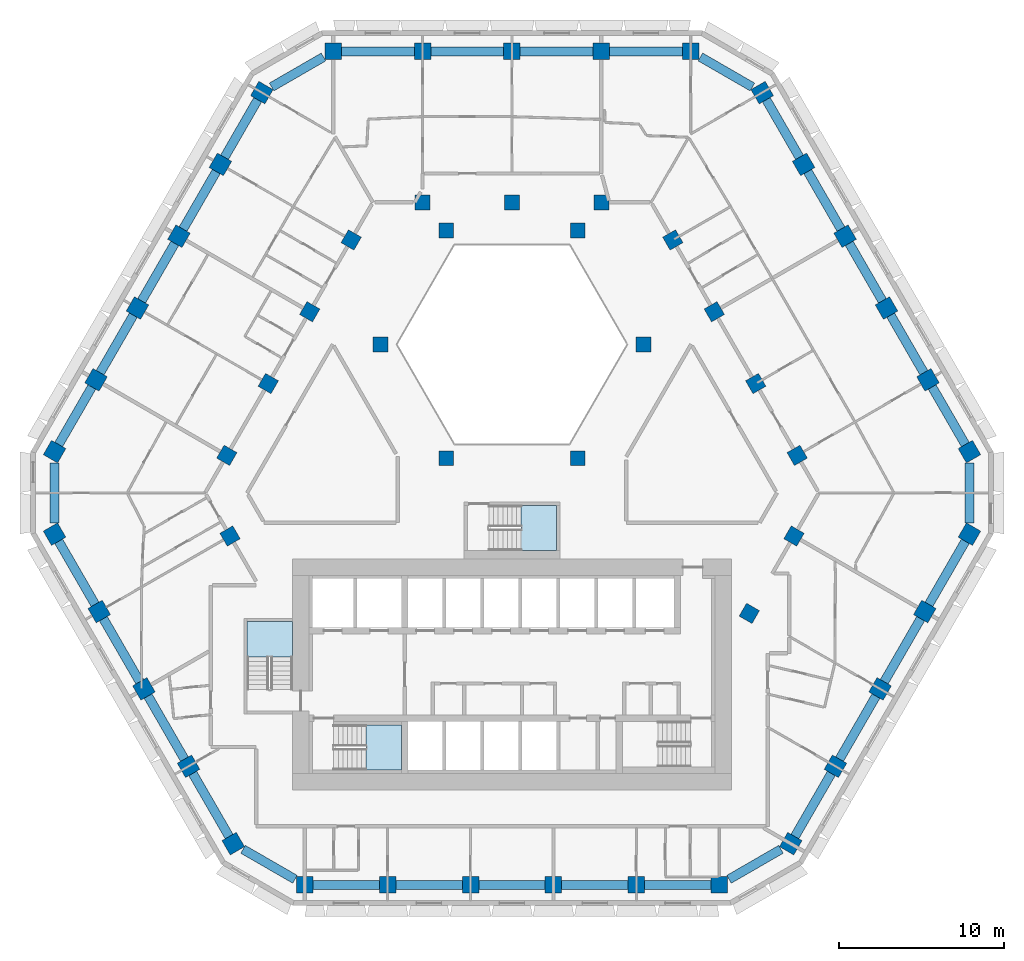
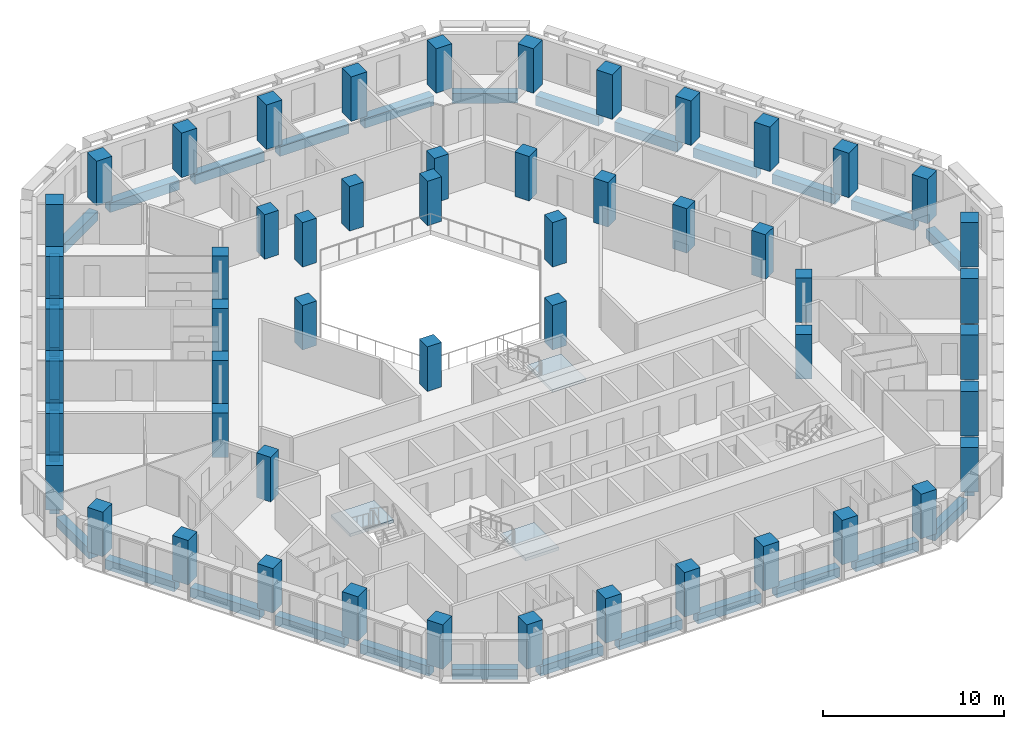
# One storey, part 1 of 16: 53 columns, 33 beams, 3 slabs, 3 elements without a shape of their own.
"""IFC4 building model written with IfcOpenShell, lengths in metres."""

from ifc_helpers import new_model, si_unit, direction, frame, origin, origin_2d, place, context, subcontext, project, spatial, polyline, rectangle, outline, extrude, material, layer, layer_set, material_profile, profile_set, type_object, element, aggregate, save


model = new_model("IFC4")

# Units and contexts
model_context = context("Model", 3, precision=1e-05, world=origin(), true_north=direction((0.0, 1.0)))
body_context = subcontext(model_context, "Body", "Model", "MODEL_VIEW")
ifc_project = project(units=[si_unit("LENGTHUNIT", "METRE"), si_unit("AREAUNIT", "SQUARE_METRE"), si_unit("VOLUMEUNIT", "CUBIC_METRE"), si_unit("PLANEANGLEUNIT", "RADIAN"), si_unit("MASSUNIT", "GRAM", prefix="KILO")], contexts=[model_context])

# Site, building, storey
site_placement = place(None, origin())
site = spatial("IfcSite", under=ifc_project, at=site_placement, CompositionType="ELEMENT")
building_placement = place(site_placement, origin())
building = spatial("IfcBuilding", under=site, at=building_placement, Name="Beryl Residences", CompositionType="ELEMENT")
storey_placement = place(building_placement, frame((0.0, 0.0, 96.0)))
storey = spatial("IfcBuildingStorey", under=building, at=storey_placement, Name="L29", CompositionType="ELEMENT", Elevation=96.0)

# Columns
ifc_material_1 = material(Name="Concrete C70/85", Category="concrete")
ifc_material_profile_1 = material_profile(ifc_material_1, rectangle(XDim=1.0, YDim=1.0, at=origin_2d()))
ifc_profile_set_1 = profile_set([ifc_material_profile_1], Name="Concrete C70/85")
column_type_1 = type_object("IfcColumnType", Name="C2 tube column 1000 x 1000 C70/85", PredefinedType="COLUMN", material=ifc_profile_set_1)
for number, where, z_axis, x_axis, name in (
    (1, (10.824951171875, 25.75, 0.0), (0.0, 0.0, 1.0), (-1.0, 0.0, 0.0), "C2-N1 L29"),
    (2, (5.412109375, 25.75, 0.0), (0.0, 0.0, 1.0), (-1.0, 0.0, 0.0), "C2-N2 L29"),
    (3, (-0.0009765625, 25.75, 0.0), (0.0, 0.0, 1.0), (-1.0, 0.0, 0.0), "C2-N3 L29"),
    (4, (-5.4140625, 25.75, 0.0), (0.0, 0.0, 1.0), (-1.0, 0.0, 0.0), "C2-N4 L29"),
    (5, (-10.826904296875, 25.75, 0.0), (0.0, 0.0, 1.0), (-1.0, 0.0, 0.0), "C2-N5 L29"),
    (6, (-15.155029296875, 23.2509765625, 0.0), (0.0, 0.0, 1.0), (-0.5, -0.866025403784, 0.0), "C2-NW1 L29"),
    (7, (-17.6669921875, 18.89990234375, 0.0), (0.0, 0.0, 1.0), (-0.5, -0.866025403784, 0.0), "C2-NW2 L29"),
    (8, (-20.177978515625, 14.550048828125, 0.0), (0.0, 0.0, 1.0), (-0.5, -0.866025403784, 0.0), "C2-NW3 L29"),
    (9, (-22.68994140625, 10.199951171875, 0.0), (0.0, 0.0, 1.0), (-0.5, -0.866025403784, 0.0), "C2-NW4 L29"),
    (10, (-25.201904296875, 5.85009765625, 0.0), (0.0, 0.0, 1.0), (-0.5, -0.866025403784, 0.0), "C2-NW5 L29"),
    (11, (-27.712890625, 1.5, 0.0), (0.0, 0.0, 1.0), (-0.5, -0.866025403784, 0.0), "C2-NW6 L29"),
    (12, (-27.714111328125, -3.4990234375, 0.0), (0.0, 0.0, 1.0), (0.5, -0.866025403784, 0.0), "C2-SW1 L29"),
    (13, (-25.007080078125, -8.18701171875, 0.0), (0.0, 0.0, 1.0), (0.5, -0.866025403784, 0.0), "C2-SW2 L29"),
    (14, (-22.300048828125, -12.875, 0.0), (0.0, 0.0, 1.0), (0.5, -0.866025403784, 0.0), "C2-SW3 L29"),
    (15, (-19.593994140625, -17.56298828125, 0.0), (0.0, 0.0, 1.0), (0.5, -0.866025403784, 0.0), "C2-SW4 L29"),
    (16, (-16.886962890625, -22.2509765625, 0.0), (0.0, 0.0, 1.0), (0.5, -0.866025403784, 0.0), "C2-SW5 L29"),
    (17, (-12.556884765625, -24.75, 0.0), (0.0, 0.0, 1.0), (1.0, 0.0, 0.0), "C2-S1 L29"),
    (18, (-7.533935546875, -24.75, 0.0), (0.0, 0.0, 1.0), (1.0, 0.0, 0.0), "C2-S2 L29"),
    (19, (-2.510986328125, -24.75, 0.0), (0.0, 0.0, 1.0), (1.0, 0.0, 0.0), "C2-S3 L29"),
    (20, (2.511962890625, -24.75, 0.0), (0.0, 0.0, 1.0), (1.0, 0.0, 0.0), "C2-S4 L29"),
    (21, (7.534912109375, -24.75, 0.0), (0.0, 0.0, 1.0), (1.0, 0.0, 0.0), "C2-S5 L29"),
    (22, (12.55810546875, -24.75, 0.0), (0.0, 0.0, 1.0), (1.0, 0.0, 0.0), "C2-S6 L29"),
    (23, (16.886962890625, -22.2509765625, 0.0), (0.0, 0.0, 1.0), (0.5, 0.866025403784, 0.0), "C2-SE1 L29"),
    (24, (19.593994140625, -17.56298828125, 0.0), (0.0, 0.0, 1.0), (0.5, 0.866025403784, 0.0), "C2-SE2 L29"),
    (25, (22.300048828125, -12.875, 0.0), (0.0, 0.0, 1.0), (0.5, 0.866025403784, 0.0), "C2-SE3 L29"),
    (26, (25.007080078125, -8.18701171875, 0.0), (0.0, 0.0, 1.0), (0.5, 0.866025403784, 0.0), "C2-SE4 L29"),
    (27, (27.714111328125, -3.4990234375, 0.0), (0.0, 0.0, 1.0), (0.5, 0.866025403784, 0.0), "C2-SE5 L29"),
    (28, (27.714111328125, 1.4990234375, 0.0), (0.0, 0.0, 1.0), (-0.5, 0.866025403784, 0.0), "C2-NE1 L29"),
    (29, (25.201904296875, 5.85009765625, 0.0), (0.0, 0.0, 1.0), (-0.5, 0.866025403784, 0.0), "C2-NE2 L29"),
    (30, (22.68994140625, 10.199951171875, 0.0), (0.0, 0.0, 1.0), (-0.5, 0.866025403784, 0.0), "C2-NE3 L29"),
    (31, (20.178955078125, 14.550048828125, 0.0), (0.0, 0.0, 1.0), (-0.5, 0.866025403784, 0.0), "C2-NE4 L29"),
    (32, (17.6669921875, 18.89990234375, 0.0), (0.0, 0.0, 1.0), (-0.5, 0.866025403784, 0.0), "C2-NE5 L29"),
    (33, (15.156005859375, 23.25, 0.0), (0.0, 0.0, 1.0), (-0.5, 0.866025403784, 0.0), "C2-NE6 L29"),
):
    element("IfcColumn", number, at=place(storey_placement, frame(where, z_axis=z_axis, x_axis=x_axis)), inside=storey, type_object=column_type_1, Name=name, PredefinedType="COLUMN", context=body_context, shape_type="SweptSolid", body=[
        extrude(rectangle(XDim=1.0, YDim=1.0, at=origin_2d()), origin(), (0.0, 0.0, 1.0), 3.0),
    ])
ifc_material_2 = material(Name="Concrete C70/85", Category="concrete")
ifc_material_profile_2 = material_profile(ifc_material_2, rectangle(XDim=0.89990234375, YDim=0.89990234375, at=origin_2d()))
ifc_profile_set_2 = profile_set([ifc_material_profile_2], Name="Concrete C70/85")
column_type_2 = type_object("IfcColumnType", Name="IC2 interior column 900 x 900 C70/85", PredefinedType="COLUMN", material=ifc_profile_set_2)
for number, where, z_axis, x_axis, name in (
    (34, (-17.0830078125, -3.612060546875, 0.0), (0.0, 0.0, 1.0), (0.5, -0.866025403784, 0.0), "IC2-M01 L29"),
    (35, (14.3759765625, -8.300048828125, 0.0), (0.0, 0.0, 1.0), (0.5, 0.866025403784, 0.0), "IC2-M02 L29"),
    (36, (17.0830078125, -3.612060546875, 0.0), (0.0, 0.0, 1.0), (0.5, 0.866025403784, 0.0), "IC2-M03 L29"),
    (37, (17.278076171875, 1.27392578125, 0.0), (0.0, 0.0, 1.0), (-0.5, 0.866025403784, 0.0), "IC2-M04 L29"),
    (38, (3.98388671875, 1.10009765625, 0.0), (0.0, 0.0, 1.0), (1.0, 0.0, 0.0), "IC2-A05 L29"),
    (39, (14.76611328125, 5.625, 0.0), (0.0, 0.0, 1.0), (-0.5, 0.866025403784, 0.0), "IC2-M06 L29"),
    (40, (12.2548828125, 9.97509765625, 0.0), (0.0, 0.0, 1.0), (-0.5, 0.866025403784, 0.0), "IC2-M07 L29"),
    (41, (7.967041015625, 8.0, 0.0), (0.0, 0.0, 1.0), (1.0, 0.0, 0.0), "IC2-A08 L29"),
    (42, (9.742919921875, 14.324951171875, 0.0), (0.0, 0.0, 1.0), (-0.5, 0.866025403784, 0.0), "IC2-M09 L29"),
    (43, (5.412109375, 16.60009765625, 0.0), (0.0, 0.0, 1.0), (-1.0, 0.0, 0.0), "IC2-M10 L29"),
    (44, (3.98388671875, 14.89990234375, 0.0), (0.0, 0.0, 1.0), (1.0, 0.0, 0.0), "IC2-A11 L29"),
    (45, (-0.0009765625, 16.60009765625, 0.0), (0.0, 0.0, 1.0), (-1.0, 0.0, 0.0), "IC2-M12 L29"),
    (46, (-3.98388671875, 14.89990234375, 0.0), (0.0, 0.0, 1.0), (1.0, 0.0, 0.0), "IC2-A13 L29"),
    (47, (-5.4140625, 16.60009765625, 0.0), (0.0, 0.0, 1.0), (-1.0, 0.0, 0.0), "IC2-M14 L29"),
    (48, (-9.742919921875, 14.324951171875, 0.0), (0.0, 0.0, 1.0), (-0.5, -0.866025403784, 0.0), "IC2-M15 L29"),
    (49, (-7.967041015625, 8.0, 0.0), (0.0, 0.0, 1.0), (1.0, 0.0, 0.0), "IC2-A16 L29"),
    (50, (-12.25390625, 9.97509765625, 0.0), (0.0, 0.0, 1.0), (-0.5, -0.866025403784, 0.0), "IC2-M17 L29"),
    (51, (-14.76611328125, 5.625, 0.0), (0.0, 0.0, 1.0), (-0.5, -0.866025403784, 0.0), "IC2-M18 L29"),
    (52, (-3.98388671875, 1.10009765625, 0.0), (0.0, 0.0, 1.0), (1.0, 0.0, 0.0), "IC2-A19 L29"),
    (53, (-17.277099609375, 1.27490234375, 0.0), (0.0, 0.0, 1.0), (-0.5, -0.866025403784, 0.0), "IC2-M20 L29"),
):
    element("IfcColumn", number, at=place(storey_placement, frame(where, z_axis=z_axis, x_axis=x_axis)), inside=storey, type_object=column_type_2, Name=name, PredefinedType="COLUMN", context=body_context, shape_type="SweptSolid", body=[
        extrude(rectangle(XDim=0.89990234375, YDim=0.89990234375, at=origin_2d()), origin(), (0.0, 0.0, 1.0), 3.0),
    ])

# Beams
ifc_material_3 = material(Name="Concrete C70/85", Category="concrete")
ifc_material_profile_3 = material_profile(ifc_material_3, rectangle(XDim=0.550048828125, YDim=0.64990234375, at=origin_2d()))
ifc_profile_set_3 = profile_set([ifc_material_profile_3], Name="Concrete C70/85")
beam_type = type_object("IfcBeamType", Name="SB2 spandrel beam 550 x 650 C70/85", PredefinedType="SPANDREL", material=ifc_profile_set_3)
beam_1_placement = place(storey_placement, frame((10.324951171875, 25.75, -0.625), z_axis=(-1.0, 0.0, 0.0), x_axis=(0.0, -1.0, 0.0)))
element("IfcBeam", 54, at=beam_1_placement, inside=storey, type_object=beam_type, Name="SB2 L29 N-0", PredefinedType="SPANDREL", context=body_context, shape_type="SweptSolid", body=[
    extrude(rectangle(XDim=0.550048828125, YDim=0.64990234375, at=origin_2d()), origin(), (0.0, 0.0, 1.0), 4.412841796875),
])
for number, where, z_axis, x_axis, name in (
    (55, (4.912109375, 25.75, -0.625), (-1.0, 0.0, 0.0), (0.0, -1.0, 0.0), "SB2 L29 N-1"),
    (56, (-0.5009765625, 25.75, -0.625), (-1.0, 0.0, 0.0), (0.0, -1.0, 0.0), "SB2 L29 N-2"),
):
    element("IfcBeam", number, at=place(storey_placement, frame(where, z_axis=z_axis, x_axis=x_axis)), inside=storey, type_object=beam_type, Name=name, PredefinedType="SPANDREL", context=body_context, shape_type="SweptSolid", body=[
        extrude(rectangle(XDim=0.550048828125, YDim=0.64990234375, at=origin_2d()), origin(), (0.0, 0.0, 1.0), 4.4130859375),
    ])
beam_2_placement = place(storey_placement, frame((-5.9140625, 25.75, -0.625), z_axis=(-1.0, 0.0, 0.0), x_axis=(0.0, -1.0, 0.0)))
element("IfcBeam", 57, at=beam_2_placement, inside=storey, type_object=beam_type, Name="SB2 L29 N-3", PredefinedType="SPANDREL", context=body_context, shape_type="SweptSolid", body=[
    extrude(rectangle(XDim=0.550048828125, YDim=0.64990234375, at=origin_2d()), origin(), (0.0, 0.0, 1.0), 4.412841796875),
])
beam_3_placement = place(storey_placement, frame((-11.41796875, 25.408935546875, -0.625), z_axis=(-0.865959503272, -0.500114125668, 0.0), x_axis=(0.500114125668, -0.865959503272, 0.0)))
element("IfcBeam", 58, at=beam_3_placement, inside=storey, type_object=beam_type, Name="SB2 L29 N-4", PredefinedType="SPANDREL", context=body_context, shape_type="SweptSolid", body=[
    extrude(rectangle(XDim=0.550048828125, YDim=0.64990234375, at=origin_2d()), origin(), (0.0, 0.0, 1.0), 3.633056640625),
])
beam_4_placement = place(storey_placement, frame((-15.405029296875, 22.818115234375, -0.625), z_axis=(-0.49996928203, -0.866043138087, 0.0), x_axis=(0.866043138087, -0.49996928203, 0.0)))
element("IfcBeam", 59, at=beam_4_placement, inside=storey, type_object=beam_type, Name="SB2 L29 NW-0", PredefinedType="SPANDREL", context=body_context, shape_type="SweptSolid", body=[
    extrude(rectangle(XDim=0.550048828125, YDim=0.64990234375, at=origin_2d()), origin(), (0.0, 0.0, 1.0), 4.024169921875),
])
beam_5_placement = place(storey_placement, frame((-17.9169921875, 18.467041015625, -0.625), z_axis=(-0.499892318183, -0.866087564985, 0.0), x_axis=(0.866087564985, -0.499892318183, 0.0)))
element("IfcBeam", 60, at=beam_5_placement, inside=storey, type_object=beam_type, Name="SB2 L29 NW-1", PredefinedType="SPANDREL", context=body_context, shape_type="SweptSolid", body=[
    extrude(rectangle(XDim=0.550048828125, YDim=0.64990234375, at=origin_2d()), origin(), (0.0, 0.0, 1.0), 4.02294921875),
])
beam_6_placement = place(storey_placement, frame((-20.427978515625, 14.116943359375, -0.625), z_axis=(-0.500100656611, -0.865967281863, 0.0), x_axis=(0.865967281863, -0.500100656611, 0.0)))
element("IfcBeam", 61, at=beam_6_placement, inside=storey, type_object=beam_type, Name="SB2 L29 NW-2", PredefinedType="SPANDREL", context=body_context, shape_type="SweptSolid", body=[
    extrude(rectangle(XDim=0.550048828125, YDim=0.64990234375, at=origin_2d()), origin(), (0.0, 0.0, 1.0), 4.023193359375),
])
beam_7_placement = place(storey_placement, frame((-22.93994140625, 9.76708984375, -0.625), z_axis=(-0.500074377092, -0.865982457891, 0.0), x_axis=(0.865982457891, -0.500074377092, 0.0)))
element("IfcBeam", 62, at=beam_7_placement, inside=storey, type_object=beam_type, Name="SB2 L29 NW-3", PredefinedType="SPANDREL", context=body_context, shape_type="SweptSolid", body=[
    extrude(rectangle(XDim=0.550048828125, YDim=0.64990234375, at=origin_2d()), origin(), (0.0, 0.0, 1.0), 4.0234375),
])
beam_8_placement = place(storey_placement, frame((-25.451904296875, 5.4169921875, -0.625), z_axis=(-0.499918594511, -0.866072398164, 0.0), x_axis=(0.866072398164, -0.499918594511, 0.0)))
element("IfcBeam", 63, at=beam_8_placement, inside=storey, type_object=beam_type, Name="SB2 L29 NW-4", PredefinedType="SPANDREL", context=body_context, shape_type="SweptSolid", body=[
    extrude(rectangle(XDim=0.550048828125, YDim=0.64990234375, at=origin_2d()), origin(), (0.0, 0.0, 1.0), 4.022705078125),
])
beam_9_placement = place(storey_placement, frame((-27.712890625, 0.81689453125, -0.625), z_axis=(-0.000336021486, -0.999999943545, 0.0), x_axis=(0.999999943545, -0.000336021486, 0.0)))
element("IfcBeam", 64, at=beam_9_placement, inside=storey, type_object=beam_type, Name="SB2 L29 NW-5", PredefinedType="SPANDREL", context=body_context, shape_type="SweptSolid", body=[
    extrude(rectangle(XDim=0.550048828125, YDim=0.64990234375, at=origin_2d()), origin(), (0.0, 0.0, 1.0), 3.6328125),
])
beam_10_placement = place(storey_placement, frame((-27.464111328125, -3.931884765625, -0.625), z_axis=(0.50006561292, -0.865987518834, 0.0), x_axis=(0.865987518834, 0.50006561292, 0.0)))
element("IfcBeam", 65, at=beam_10_placement, inside=storey, type_object=beam_type, Name="SB2 L29 SW-0", PredefinedType="SPANDREL", context=body_context, shape_type="SweptSolid", body=[
    extrude(rectangle(XDim=0.550048828125, YDim=0.64990234375, at=origin_2d()), origin(), (0.0, 0.0, 1.0), 4.41357421875),
])
beam_11_placement = place(storey_placement, frame((-24.757080078125, -8.6201171875, -0.625), z_axis=(0.500089568931, -0.865973684962, 0.0), x_axis=(0.865973684962, 0.500089568931, 0.0)))
element("IfcBeam", 66, at=beam_11_placement, inside=storey, type_object=beam_type, Name="SB2 L29 SW-1", PredefinedType="SPANDREL", context=body_context, shape_type="SweptSolid", body=[
    extrude(rectangle(XDim=0.550048828125, YDim=0.64990234375, at=origin_2d()), origin(), (0.0, 0.0, 1.0), 4.413330078125),
])
beam_12_placement = place(storey_placement, frame((-22.050048828125, -13.30810546875, -0.625), z_axis=(0.49992360228, -0.866069507536, 0.0), x_axis=(0.866069507536, 0.49992360228, 0.0)))
element("IfcBeam", 67, at=beam_12_placement, inside=storey, type_object=beam_type, Name="SB2 L29 SW-2", PredefinedType="SPANDREL", context=body_context, shape_type="SweptSolid", body=[
    extrude(rectangle(XDim=0.550048828125, YDim=0.64990234375, at=origin_2d()), origin(), (0.0, 0.0, 1.0), 4.412841796875),
])
beam_13_placement = place(storey_placement, frame((-19.343994140625, -17.99609375, -0.625), z_axis=(0.50006561292, -0.865987518834, 0.0), x_axis=(0.865987518834, 0.50006561292, 0.0)))
element("IfcBeam", 68, at=beam_13_placement, inside=storey, type_object=beam_type, Name="SB2 L29 SW-3", PredefinedType="SPANDREL", context=body_context, shape_type="SweptSolid", body=[
    extrude(rectangle(XDim=0.550048828125, YDim=0.64990234375, at=origin_2d()), origin(), (0.0, 0.0, 1.0), 4.41357421875),
])
beam_14_placement = place(storey_placement, frame((-16.2958984375, -22.592041015625, -0.625), z_axis=(0.866093873939, -0.499881387456, 0.0), x_axis=(0.499881387456, 0.866093873939, 0.0)))
element("IfcBeam", 69, at=beam_14_placement, inside=storey, type_object=beam_type, Name="SB2 L29 SW-4", PredefinedType="SPANDREL", context=body_context, shape_type="SweptSolid", body=[
    extrude(rectangle(XDim=0.550048828125, YDim=0.64990234375, at=origin_2d()), origin(), (0.0, 0.0, 1.0), 3.634765625),
])
for number, where, z_axis, x_axis, name in (
    (70, (-12.056884765625, -24.75, -0.625), (1.0, 0.0, 0.0), (0.0, 1.0, 0.0), "SB2 L29 S-0"),
    (71, (-7.033935546875, -24.75, -0.625), (1.0, 0.0, 0.0), (0.0, 1.0, 0.0), "SB2 L29 S-1"),
    (72, (-2.010986328125, -24.75, -0.625), (1.0, 0.0, 0.0), (0.0, 1.0, 0.0), "SB2 L29 S-2"),
    (73, (3.011962890625, -24.75, -0.625), (1.0, 0.0, 0.0), (0.0, 1.0, 0.0), "SB2 L29 S-3"),
):
    element("IfcBeam", number, at=place(storey_placement, frame(where, z_axis=z_axis, x_axis=x_axis)), inside=storey, type_object=beam_type, Name=name, PredefinedType="SPANDREL", context=body_context, shape_type="SweptSolid", body=[
        extrude(rectangle(XDim=0.550048828125, YDim=0.64990234375, at=origin_2d()), origin(), (0.0, 0.0, 1.0), 4.02294921875),
    ])
beam_15_placement = place(storey_placement, frame((8.034912109375, -24.75, -0.625), z_axis=(1.0, 0.0, 0.0), x_axis=(0.0, 1.0, 0.0)))
element("IfcBeam", 74, at=beam_15_placement, inside=storey, type_object=beam_type, Name="SB2 L29 S-4", PredefinedType="SPANDREL", context=body_context, shape_type="SweptSolid", body=[
    extrude(rectangle(XDim=0.550048828125, YDim=0.64990234375, at=origin_2d()), origin(), (0.0, 0.0, 1.0), 4.023193359375),
])
beam_16_placement = place(storey_placement, frame((13.14892578125, -24.408935546875, -0.625), z_axis=(0.866026712061, 0.499997733992, 0.0), x_axis=(-0.499997733992, 0.866026712061, 0.0)))
element("IfcBeam", 75, at=beam_16_placement, inside=storey, type_object=beam_type, Name="SB2 L29 S-5", PredefinedType="SPANDREL", context=body_context, shape_type="SweptSolid", body=[
    extrude(rectangle(XDim=0.550048828125, YDim=0.64990234375, at=origin_2d()), origin(), (0.0, 0.0, 1.0), 3.6337890625),
])
beam_17_placement = place(storey_placement, frame((17.136962890625, -21.818115234375, -0.625), z_axis=(0.50006561292, 0.865987518834, 0.0), x_axis=(-0.865987518834, 0.50006561292, 0.0)))
element("IfcBeam", 76, at=beam_17_placement, inside=storey, type_object=beam_type, Name="SB2 L29 SE-0", PredefinedType="SPANDREL", context=body_context, shape_type="SweptSolid", body=[
    extrude(rectangle(XDim=0.550048828125, YDim=0.64990234375, at=origin_2d()), origin(), (0.0, 0.0, 1.0), 4.41357421875),
])
beam_18_placement = place(storey_placement, frame((19.843994140625, -17.1298828125, -0.625), z_axis=(0.49992360228, 0.866069507536, 0.0), x_axis=(-0.866069507536, 0.49992360228, 0.0)))
element("IfcBeam", 77, at=beam_18_placement, inside=storey, type_object=beam_type, Name="SB2 L29 SE-1", PredefinedType="SPANDREL", context=body_context, shape_type="SweptSolid", body=[
    extrude(rectangle(XDim=0.550048828125, YDim=0.64990234375, at=origin_2d()), origin(), (0.0, 0.0, 1.0), 4.412841796875),
])
beam_19_placement = place(storey_placement, frame((22.550048828125, -12.44189453125, -0.625), z_axis=(0.500089568931, 0.865973684962, 0.0), x_axis=(-0.865973684962, 0.500089568931, 0.0)))
element("IfcBeam", 78, at=beam_19_placement, inside=storey, type_object=beam_type, Name="SB2 L29 SE-2", PredefinedType="SPANDREL", context=body_context, shape_type="SweptSolid", body=[
    extrude(rectangle(XDim=0.550048828125, YDim=0.64990234375, at=origin_2d()), origin(), (0.0, 0.0, 1.0), 4.413330078125),
])
beam_20_placement = place(storey_placement, frame((25.257080078125, -7.75390625, -0.625), z_axis=(0.50006561292, 0.865987518834, 0.0), x_axis=(-0.865987518834, 0.50006561292, 0.0)))
element("IfcBeam", 79, at=beam_20_placement, inside=storey, type_object=beam_type, Name="SB2 L29 SE-3", PredefinedType="SPANDREL", context=body_context, shape_type="SweptSolid", body=[
    extrude(rectangle(XDim=0.550048828125, YDim=0.64990234375, at=origin_2d()), origin(), (0.0, 0.0, 1.0), 4.41357421875),
])
beam_21_placement = place(storey_placement, frame((27.714111328125, -2.81591796875, -0.625), z_axis=(0.0, 1.0, 0.0), x_axis=(-1.0, 0.0, 0.0)))
element("IfcBeam", 80, at=beam_21_placement, inside=storey, type_object=beam_type, Name="SB2 L29 SE-4", PredefinedType="SPANDREL", context=body_context, shape_type="SweptSolid", body=[
    extrude(rectangle(XDim=0.550048828125, YDim=0.64990234375, at=origin_2d()), origin(), (0.0, 0.0, 1.0), 3.6318359375),
])
beam_22_placement = place(storey_placement, frame((27.464111328125, 1.931884765625, -0.625), z_axis=(-0.500014783214, 0.866016868524, 0.0), x_axis=(-0.866016868524, -0.500014783214, 0.0)))
element("IfcBeam", 81, at=beam_22_placement, inside=storey, type_object=beam_type, Name="SB2 L29 NE-0", PredefinedType="SPANDREL", context=body_context, shape_type="SweptSolid", body=[
    extrude(rectangle(XDim=0.550048828125, YDim=0.64990234375, at=origin_2d()), origin(), (0.0, 0.0, 1.0), 4.0244140625),
])
beam_23_placement = place(storey_placement, frame((24.951904296875, 6.282958984375, -0.625), z_axis=(-0.500074377092, 0.865982457891, 0.0), x_axis=(-0.865982457891, -0.500074377092, 0.0)))
element("IfcBeam", 82, at=beam_23_placement, inside=storey, type_object=beam_type, Name="SB2 L29 NE-1", PredefinedType="SPANDREL", context=body_context, shape_type="SweptSolid", body=[
    extrude(rectangle(XDim=0.550048828125, YDim=0.64990234375, at=origin_2d()), origin(), (0.0, 0.0, 1.0), 4.0234375),
])
beam_24_placement = place(storey_placement, frame((22.43994140625, 10.633056640625, -0.625), z_axis=(-0.499918594511, 0.866072398164, 0.0), x_axis=(-0.866072398164, -0.499918594511, 0.0)))
element("IfcBeam", 83, at=beam_24_placement, inside=storey, type_object=beam_type, Name="SB2 L29 NE-2", PredefinedType="SPANDREL", context=body_context, shape_type="SweptSolid", body=[
    extrude(rectangle(XDim=0.550048828125, YDim=0.64990234375, at=origin_2d()), origin(), (0.0, 0.0, 1.0), 4.022705078125),
])
beam_25_placement = place(storey_placement, frame((19.928955078125, 14.98291015625, -0.625), z_axis=(-0.500074377092, 0.865982457891, 0.0), x_axis=(-0.865982457891, -0.500074377092, 0.0)))
element("IfcBeam", 84, at=beam_25_placement, inside=storey, type_object=beam_type, Name="SB2 L29 NE-3", PredefinedType="SPANDREL", context=body_context, shape_type="SweptSolid", body=[
    extrude(rectangle(XDim=0.550048828125, YDim=0.64990234375, at=origin_2d()), origin(), (0.0, 0.0, 1.0), 4.0234375),
])
beam_26_placement = place(storey_placement, frame((17.4169921875, 19.3330078125, -0.625), z_axis=(-0.499918594511, 0.866072398164, 0.0), x_axis=(-0.866072398164, -0.499918594511, 0.0)))
element("IfcBeam", 85, at=beam_26_placement, inside=storey, type_object=beam_type, Name="SB2 L29 NE-4", PredefinedType="SPANDREL", context=body_context, shape_type="SweptSolid", body=[
    extrude(rectangle(XDim=0.550048828125, YDim=0.64990234375, at=origin_2d()), origin(), (0.0, 0.0, 1.0), 4.022705078125),
])
beam_27_placement = place(storey_placement, frame((14.56494140625, 23.591064453125, -0.625), z_axis=(-0.866044702259, 0.499966572571, 0.0), x_axis=(-0.499966572571, -0.866044702259, 0.0)))
element("IfcBeam", 86, at=beam_27_placement, inside=storey, type_object=beam_type, Name="SB2 L29 NE-5", PredefinedType="SPANDREL", context=body_context, shape_type="SweptSolid", body=[
    extrude(rectangle(XDim=0.550048828125, YDim=0.64990234375, at=origin_2d()), origin(), (0.0, 0.0, 1.0), 3.635986328125),
])

# Stair, slab
ifc_material_4 = material(Name="Concrete C40/50", Category="concrete")
stair_type = type_object("IfcStairType", Name="ST1 protected exit stair, half-turn, 1300 mm flights", PredefinedType="HALF_TURN_STAIR", material=ifc_material_4)
stair_1_placement = place(storey_placement, origin())
stair_1 = element("IfcStair", 87, at=stair_1_placement, inside=storey, type_object=stair_type, Name="L29 PROTECTED EXIT STAIR ST-1", PredefinedType="HALF_TURN_STAIR")
ifc_material_5 = material(Name="Concrete C40/50", Category="concrete")
ifc_layer = layer(ifc_material_5, 0.199951171875)
ifc_layer_set = layer_set([ifc_layer], Name="SLD1 stair landing 200 mm")
slab_type = type_object("IfcSlabType", Name="SLD1 stair landing 200 mm", PredefinedType="LANDING", material=ifc_layer_set)
slab_1_placement = place(storey_placement, frame((0.0, 0.0, 1.300048828125)))
slab_1 = element("IfcSlab", 88, at=slab_1_placement, type_object=slab_type, Name="ST-1 landing 1", PredefinedType="LANDING", context=body_context, shape_type="SweptSolid", body=[
    extrude(outline(polyline([(-8.840087890625, -17.800048828125), (-6.699951171875, -17.800048828125), (-6.699951171875, -15.050048828125), (-8.840087890625, -15.050048828125), (-8.840087890625, -17.800048828125)])), origin(), (0.0, 0.0, 1.0), 0.199951171875),
])
aggregate(stair_1, [slab_1])

stair_2_placement = place(storey_placement, origin())
stair_2 = element("IfcStair", 89, at=stair_2_placement, inside=storey, type_object=stair_type, Name="L29 PROTECTED EXIT STAIR ST-2", PredefinedType="HALF_TURN_STAIR")
slab_2_placement = place(storey_placement, frame((0.0, 0.0, 1.300048828125)))
slab_2 = element("IfcSlab", 90, at=slab_2_placement, type_object=slab_type, Name="ST-2 landing 1", PredefinedType="LANDING", context=body_context, shape_type="SweptSolid", body=[
    extrude(outline(polyline([(-13.300048828125, -10.93994140625), (-13.300048828125, -8.800048828125), (-16.050048828125, -8.800048828125), (-16.050048828125, -10.93994140625), (-13.300048828125, -10.93994140625)])), origin(), (0.0, 0.0, 1.0), 0.199951171875),
])
aggregate(stair_2, [slab_2])

stair_3_placement = place(storey_placement, origin())
stair_3 = element("IfcStair", 91, at=stair_3_placement, inside=storey, type_object=stair_type, Name="L29 PROTECTED EXIT STAIR ST-4", PredefinedType="HALF_TURN_STAIR")
slab_3_placement = place(storey_placement, frame((0.0, 0.0, 1.300048828125)))
slab_3 = element("IfcSlab", 92, at=slab_3_placement, type_object=slab_type, Name="ST-4 landing 1", PredefinedType="LANDING", context=body_context, shape_type="SweptSolid", body=[
    extrude(outline(polyline([(0.56005859375, -4.5), (2.699951171875, -4.5), (2.699951171875, -1.75), (0.56005859375, -1.75), (0.56005859375, -4.5)])), origin(), (0.0, 0.0, 1.0), 0.199951171875),
])
aggregate(stair_3, [slab_3])

save(model, "model.ifc")
